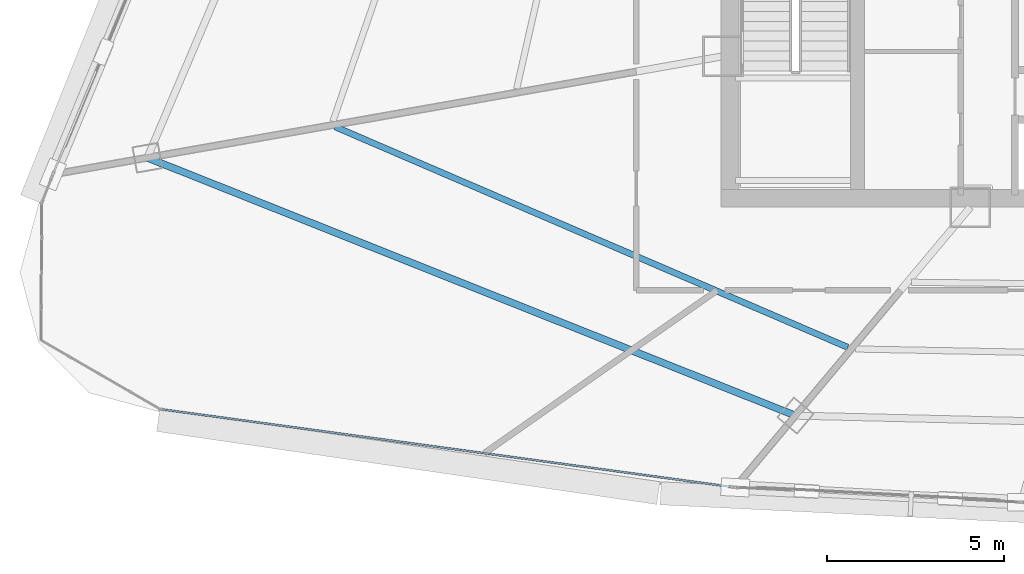
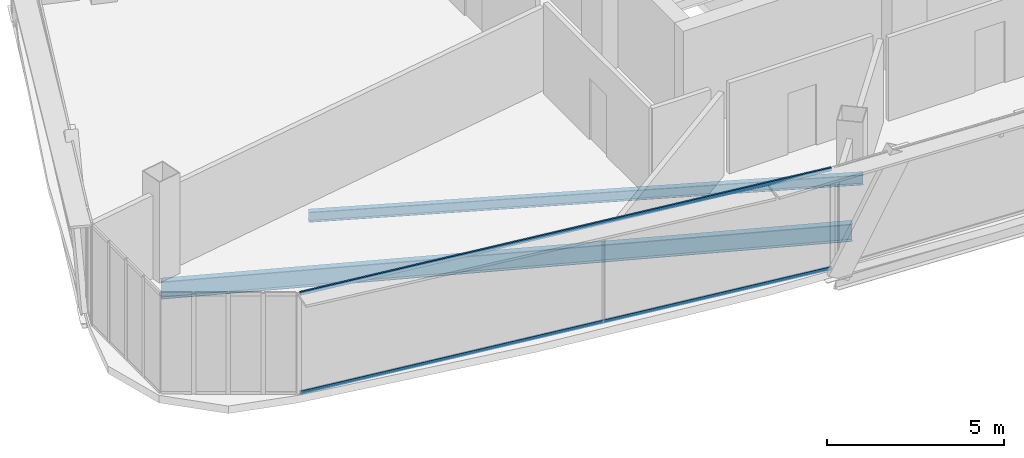
# One storey, part 3 of 40: 2 beams, 2 members, 1 element without a shape of its own.
"""IFC4 building model written with IfcOpenShell, lengths in metres."""

from ifc_helpers import new_model, si_unit, direction, frame, origin, origin_2d, place, context, subcontext, project, spatial, hollow_rectangle, i_section, extrude, source, transform, mapped, material, layer, layer_set, material_profile, profile_set, type_object, element, aggregate, save


model = new_model("IFC4")

# Units and contexts
model_context = context("Model", 3, precision=1e-05, world=origin(), true_north=direction((0.0, 1.0)))
body_context = subcontext(model_context, "Body", "Model", "MODEL_VIEW")
ifc_project = project(units=[si_unit("LENGTHUNIT", "METRE"), si_unit("AREAUNIT", "SQUARE_METRE"), si_unit("VOLUMEUNIT", "CUBIC_METRE"), si_unit("PLANEANGLEUNIT", "RADIAN"), si_unit("MASSUNIT", "GRAM", prefix="KILO"), si_unit("THERMODYNAMICTEMPERATUREUNIT", "KELVIN"), si_unit("POWERUNIT", "WATT")], contexts=[model_context])

# Site, building, storey
site_placement = place(None, origin())
site = spatial("IfcSite", under=ifc_project, at=site_placement, CompositionType="ELEMENT")
building_placement = place(site_placement, origin())
building = spatial("IfcBuilding", under=site, at=building_placement, Name="Yunzhuo Pagoda Commons", CompositionType="ELEMENT")
storey_placement = place(building_placement, frame((0.0, 0.0, 288.75)))
storey = spatial("IfcBuildingStorey", under=building, at=storey_placement, Name="L72", CompositionType="ELEMENT", Elevation=288.75)

# Beams
ifc_material_1 = material(Name="Structural steel Q355B", Category="steel")
ifc_material_profile_1 = material_profile(ifc_material_1, i_section(OverallWidth=0.199951171875, OverallDepth=0.60009765625, WebThickness=0.010986328125, FlangeThickness=0.01708984375, at=origin_2d()), Name="Structural steel Q355B")
ifc_profile_set_1 = profile_set([ifc_material_profile_1], Name="Structural steel Q355B")
beam_type_1 = type_object("IfcBeamType", Name="B-RG3 Beam HN 600x200x11x17", PredefinedType="BEAM", material=ifc_profile_set_1)
shared_shape_1 = source(origin(), body_context, "Body", "SweptSolid", [
    extrude(i_section(OverallWidth=0.199951171875, OverallDepth=0.60009765625, WebThickness=0.010986328125, FlangeThickness=0.01708984375, at=origin_2d()), origin(), (0.0, 0.0, 1.0), 19.70458984375),
])
beam_1_placement = place(storey_placement, frame((19.33837890625, 28.646240234375, -0.56005859375), z_axis=(0.929153602905, -0.369693903396, 0.0), x_axis=(0.369693903396, 0.929153602905, 0.0)))
element("IfcBeam", 1, at=beam_1_placement, inside=storey, type_object=beam_type_1, Name="L72 column-ring beam 12", PredefinedType="BEAM", context=body_context, shape_type="MappedRepresentation", body=[
    mapped(shared_shape_1, transform((0.0, 0.0, 0.0), scale=1.0)),
])
ifc_material_profile_2 = material_profile(ifc_material_1, i_section(OverallWidth=0.175048828125, OverallDepth=0.35009765625, WebThickness=0.007080078125, FlangeThickness=0.010986328125, at=origin_2d()), Name="Structural steel Q355B")
ifc_profile_set_2 = profile_set([ifc_material_profile_2], Name="Structural steel Q355B")
beam_type_2 = type_object("IfcBeamType", Name="B-JS2 Joist HN 350x175x7x11", PredefinedType="JOIST", material=ifc_profile_set_2)
shared_shape_2 = source(origin(), body_context, "Body", "SweptSolid", [
    extrude(i_section(OverallWidth=0.175048828125, OverallDepth=0.35009765625, WebThickness=0.007080078125, FlangeThickness=0.010986328125, at=origin_2d()), origin(), (0.0, 0.0, 1.0), 15.757568359375),
])
beam_2_placement = place(storey_placement, frame((24.647705078125, 29.5185546875, -0.43505859375), z_axis=(0.918597596679, -0.395194199573, 0.0), x_axis=(0.395194199573, 0.918597596679, 0.0)))
element("IfcBeam", 2, at=beam_2_placement, inside=storey, type_object=beam_type_2, Name="L72 composite ring joist 2.12", PredefinedType="JOIST", context=body_context, shape_type="MappedRepresentation", body=[
    mapped(shared_shape_2, transform((0.0, 0.0, 0.0), scale=1.0)),
])

# Curtain wall, members
ifc_material_2 = material(Name="Anodized aluminium 6063-T6", Category="aluminium")
ifc_layer = layer(ifc_material_2, 0.139892578125)
ifc_layer_set = layer_set([ifc_layer], Name="Anodized aluminium 6063-T6")
curtain_wall_type = type_object("IfcCurtainWallType", Name="CW-HI High-Zone Ribbon Curtain Wall", PredefinedType="NOTDEFINED", material=ifc_layer_set)
curtain_wall_placement = place(storey_placement, origin())
curtain_wall = element("IfcCurtainWall", 3, at=curtain_wall_placement, inside=storey, type_object=curtain_wall_type, Name="L72 curtain wall CW-L72-F1B1", PredefinedType="NOTDEFINED")
ifc_material_profile_3 = material_profile(ifc_material_2, hollow_rectangle(XDim=0.054931640625, YDim=0.1201171875, WallThickness=0.00341796875, at=origin_2d()), Name="Anodized aluminium 6063-T6")
ifc_profile_set_3 = profile_set([ifc_material_profile_3], Name="Anodized aluminium 6063-T6")
member_type = type_object("IfcMemberType", Name="CW-HI-T Transom RHS 120x55x3.5", PredefinedType="USERDEFINED", material=ifc_profile_set_3)
shared_shape_3 = source(origin(), body_context, "Body", "SweptSolid", [
    extrude(hollow_rectangle(XDim=0.054931640625, YDim=0.1201171875, WallThickness=0.00341796875, at=origin_2d()), origin(), (0.0, 0.0, 1.0), 16.199462890625),
])
member_1_placement = place(storey_placement, frame((19.759765625, 21.536376953125, 0.027587890625), z_axis=(0.990865442269, -0.134854274376, 0.0), x_axis=(0.134854274376, 0.990865442269, 0.0)))
member_1 = element("IfcMember", 4, at=member_1_placement, type_object=member_type, Name="CW transom 1.1", ObjectType="TRANSOM", PredefinedType="USERDEFINED", context=body_context, shape_type="MappedRepresentation", body=[
    mapped(shared_shape_3, transform((0.0, 0.0, 0.0), scale=1.0)),
])
member_2_placement = place(storey_placement, frame((19.759765625, 21.536376953125, 3.4423828125), z_axis=(0.990865442269, -0.134854274376, 0.0), x_axis=(0.134854274376, 0.990865442269, 0.0)))
member_2 = element("IfcMember", 5, at=member_2_placement, type_object=member_type, Name="CW transom 1.2", ObjectType="TRANSOM", PredefinedType="USERDEFINED", context=body_context, shape_type="MappedRepresentation", body=[
    mapped(shared_shape_3, transform((0.0, 0.0, 0.0), scale=1.0)),
])
aggregate(curtain_wall, [member_1, member_2])

save(model, "model.ifc")
